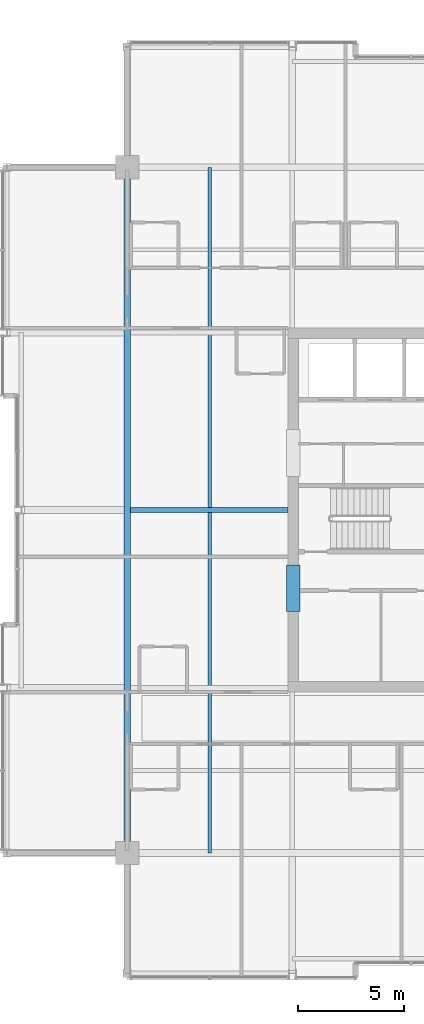
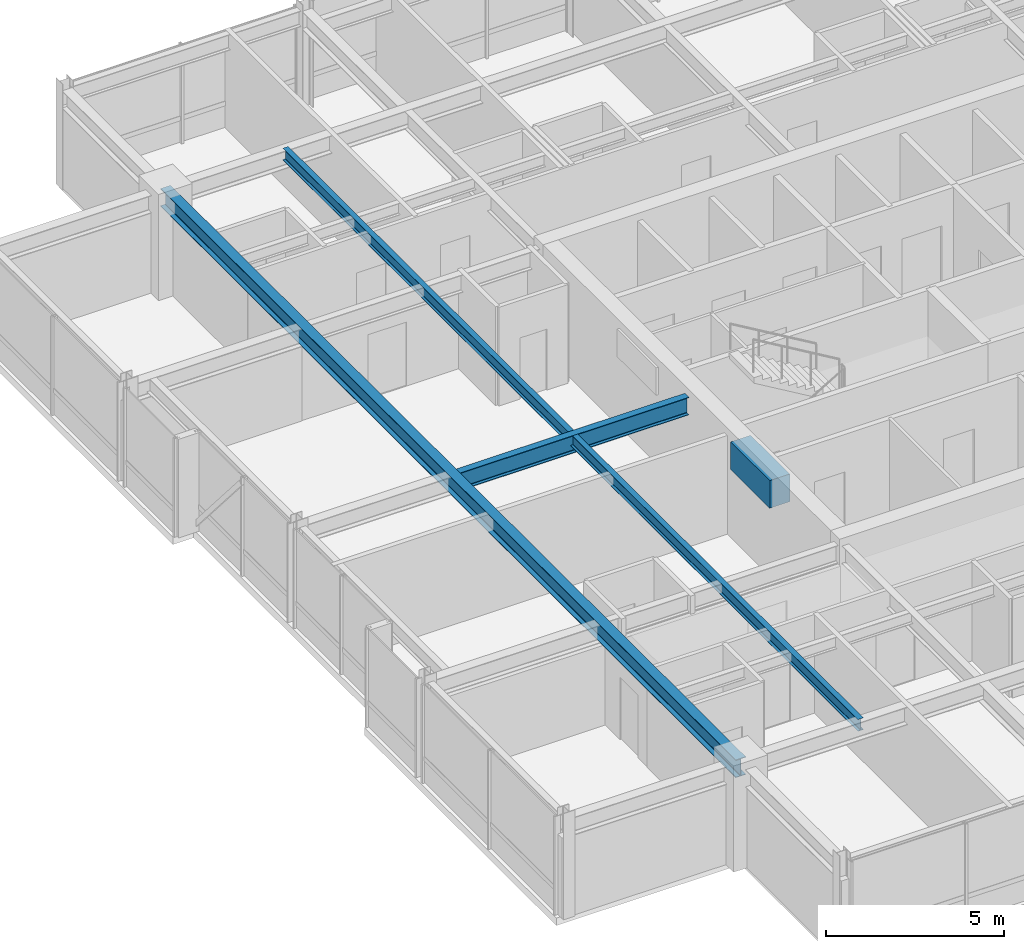
# One storey, part 13 of 34: 4 beams.
"""IFC4 building model written with IfcOpenShell, lengths in metres."""

from ifc_helpers import new_model, si_unit, direction, frame, origin, origin_2d, place, context, subcontext, project, spatial, rectangle, i_section, extrude, material, material_profile, profile_set, type_object, element, save


model = new_model("IFC4")

# Units and contexts
model_context = context("Model", 3, precision=1e-05, world=origin(), true_north=direction((0.0, 1.0)))
body_context = subcontext(model_context, "Body", "Model", "MODEL_VIEW")
ifc_project = project(units=[si_unit("LENGTHUNIT", "METRE"), si_unit("AREAUNIT", "SQUARE_METRE"), si_unit("VOLUMEUNIT", "CUBIC_METRE"), si_unit("PLANEANGLEUNIT", "RADIAN"), si_unit("MASSUNIT", "GRAM", prefix="KILO")], contexts=[model_context])

# Site, building, storey
site_placement = place(None, origin())
site = spatial("IfcSite", under=ifc_project, at=site_placement, CompositionType="ELEMENT")
building_placement = place(site_placement, origin())
building = spatial("IfcBuilding", under=site, at=building_placement, Name="Drelvath Grand Hotel", CompositionType="ELEMENT")
storey_placement = place(building_placement, frame((0.0, 0.0, 272.300048828125)))
storey = spatial("IfcBuildingStorey", under=building, at=storey_placement, Name="L71", CompositionType="ELEMENT", Elevation=272.300048828125)

# Beams
ifc_material_1 = material(Name="Steel ASTM A992 Gr 50", Category="steel")
ifc_material_profile_1 = material_profile(ifc_material_1, i_section(OverallWidth=0.177734375, OverallDepth=0.40673828125, WebThickness=0.0078125, FlangeThickness=0.0126953125, FilletRadius=0.014892578125, at=origin_2d()), Name="W16X40")
ifc_profile_set_1 = profile_set([ifc_material_profile_1], Name="Steel ASTM A992 Gr 50")
beam_type_1 = type_object("IfcBeamType", Name="Composite Floor Joist W16X40", PredefinedType="JOIST", material=ifc_profile_set_1)
beam_1_placement = place(storey_placement, frame((-12.300048828125, 10.800048828125, 3.1865234375), z_axis=(0.0, 1.0, 0.0), x_axis=(-1.0, 0.0, 0.0)))
element("IfcBeam", 1, at=beam_1_placement, inside=storey, type_object=beam_type_1, Name="L71 Wing Floor Joist J3", PredefinedType="JOIST", context=body_context, shape_type="SweptSolid", body=[
    extrude(i_section(OverallWidth=0.177734375, OverallDepth=0.40673828125, WebThickness=0.0078125, FlangeThickness=0.0126953125, FilletRadius=0.014892578125, at=origin_2d()), origin(), (0.0, 0.0, 1.0), 32.39990234375),
])
ifc_material_2 = material(Name="Concrete f'c 55 MPa", Category="concrete")
ifc_material_profile_2 = material_profile(ifc_material_2, rectangle(XDim=0.64990234375, YDim=0.949951171875, at=origin_2d()), Name="CB650X950")
ifc_profile_set_2 = profile_set([ifc_material_profile_2], Name="Concrete f'c 55 MPa")
beam_type_2 = type_object("IfcBeamType", Name="Core Coupling Lintel CB650X950", PredefinedType="LINTEL", material=ifc_profile_set_2)
beam_2_placement = place(storey_placement, frame((-8.35009765625, 22.199951171875, 2.9150390625), z_axis=(0.0, 1.0, 0.0), x_axis=(-1.0, 0.0, 0.0)))
element("IfcBeam", 2, at=beam_2_placement, inside=storey, type_object=beam_type_2, Name="L71 Core Coupling Lintel WS", PredefinedType="LINTEL", context=body_context, shape_type="SweptSolid", body=[
    extrude(rectangle(XDim=0.64990234375, YDim=0.949951171875, at=origin_2d()), origin(), (0.0, 0.0, 1.0), 2.199951171875),
])
ifc_material_profile_3 = material_profile(ifc_material_1, i_section(OverallWidth=0.323974609375, OverallDepth=0.611083984375, WebThickness=0.0126953125, FlangeThickness=0.01904296875, FilletRadius=0.02197265625, at=origin_2d()), Name="W24X104")
ifc_profile_set_3 = profile_set([ifc_material_profile_3], Name="Steel ASTM A992 Gr 50")
beam_type_3 = type_object("IfcBeamType", Name="Primary Floor Girder W24X104", PredefinedType="BEAM", material=ifc_profile_set_3)
beam_3_placement = place(storey_placement, frame((-16.199951171875, 10.800048828125, 3.08447265625), z_axis=(0.0, 1.0, 0.0), x_axis=(-1.0, 0.0, 0.0)))
element("IfcBeam", 3, at=beam_3_placement, inside=storey, type_object=beam_type_3, Name="L71 Mega Ring Girder West", PredefinedType="BEAM", context=body_context, shape_type="SweptSolid", body=[
    extrude(i_section(OverallWidth=0.323974609375, OverallDepth=0.611083984375, WebThickness=0.0126953125, FlangeThickness=0.01904296875, FilletRadius=0.02197265625, at=origin_2d()), origin(), (0.0, 0.0, 1.0), 32.39990234375),
])
ifc_material_profile_4 = material_profile(ifc_material_1, i_section(OverallWidth=0.228271484375, OverallDepth=0.607666015625, WebThickness=0.01123046875, FlangeThickness=0.017333984375, FilletRadius=0.02001953125, at=origin_2d()), Name="W24X76")
ifc_profile_set_4 = profile_set([ifc_material_profile_4], Name="Steel ASTM A992 Gr 50")
beam_type_4 = type_object("IfcBeamType", Name="Primary Floor Girder W24X76", PredefinedType="BEAM", material=ifc_profile_set_4)
beam_4_placement = place(storey_placement, frame((-16.0380859375, 27.0, 3.086181640625), z_axis=(1.0, 0.0, 0.0), x_axis=(0.0, 1.0, 0.0)))
element("IfcBeam", 4, at=beam_4_placement, inside=storey, type_object=beam_type_4, Name="L71 West Core Tie E", PredefinedType="BEAM", context=body_context, shape_type="SweptSolid", body=[
    extrude(i_section(OverallWidth=0.228271484375, OverallDepth=0.607666015625, WebThickness=0.01123046875, FlangeThickness=0.017333984375, FilletRadius=0.02001953125, at=origin_2d()), origin(), (0.0, 0.0, 1.0), 7.43798828125),
])

save(model, "model.ifc")
